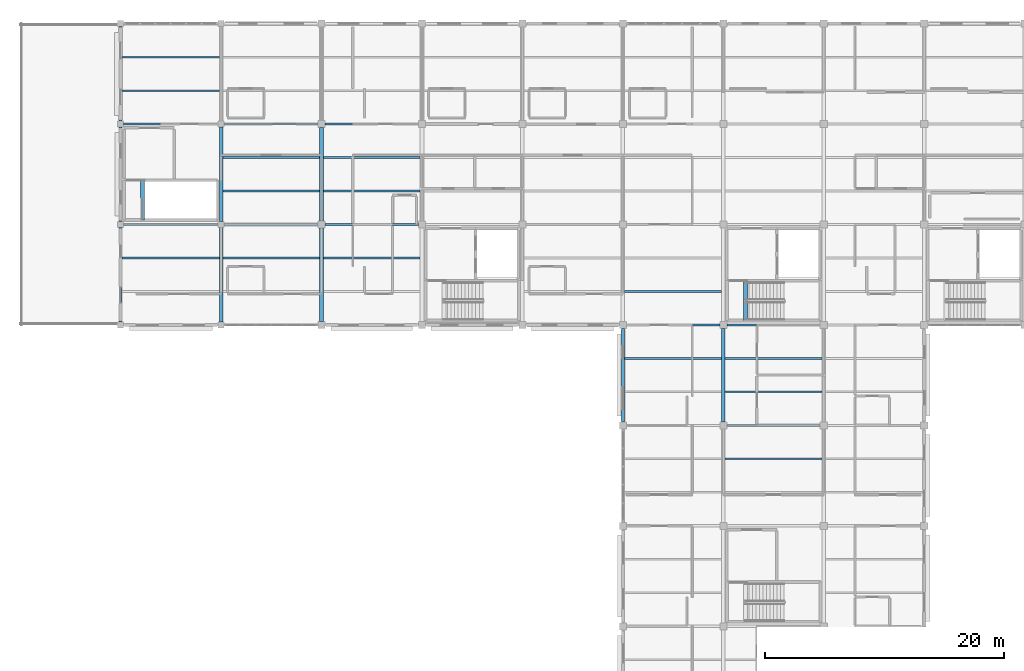
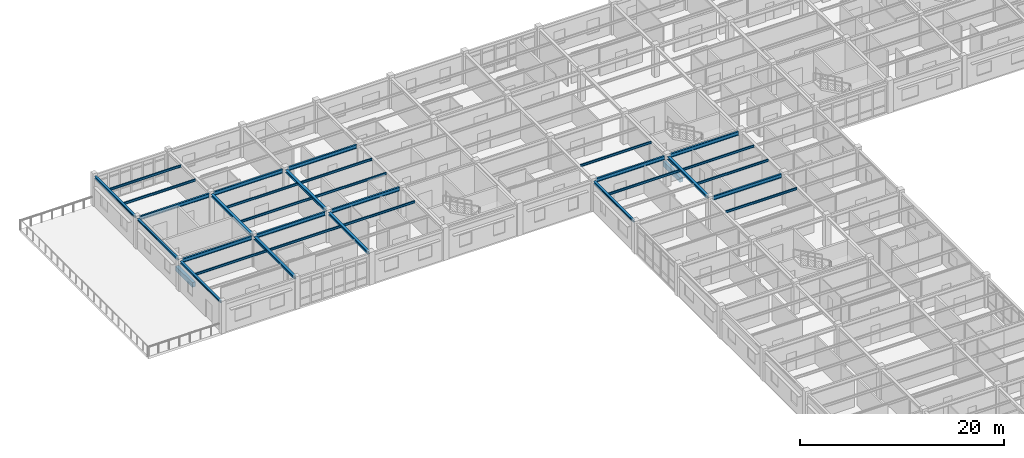
# One storey, part 22 of 70: 34 beams.
"""IFC4 building model written with IfcOpenShell, lengths in metres."""

from ifc_helpers import new_model, si_unit, direction, frame, origin, origin_2d, place, context, subcontext, project, spatial, rectangle, i_section, extrude, material, material_profile, profile_set, type_object, element, save


model = new_model("IFC4")

# Units and contexts
model_context = context("Model", 3, precision=1e-05, world=origin(), true_north=direction((0.0, 1.0)))
body_context = subcontext(model_context, "Body", "Model", "MODEL_VIEW")
ifc_project = project(units=[si_unit("LENGTHUNIT", "METRE"), si_unit("AREAUNIT", "SQUARE_METRE"), si_unit("VOLUMEUNIT", "CUBIC_METRE"), si_unit("PLANEANGLEUNIT", "RADIAN"), si_unit("MASSUNIT", "GRAM", prefix="KILO")], contexts=[model_context])

# Site, building, storey
site_placement = place(None, origin())
site = spatial("IfcSite", under=ifc_project, at=site_placement, CompositionType="ELEMENT")
building_placement = place(site_placement, origin())
building = spatial("IfcBuilding", under=site, at=building_placement, Name="Bramfleet General Hospital", CompositionType="ELEMENT")
storey_placement = place(building_placement, frame((0.0, 0.0, 22.5)))
storey = spatial("IfcBuildingStorey", under=building, at=storey_placement, Name="L05", CompositionType="ELEMENT", Elevation=22.5)

# Beams
ifc_material_1 = material(Name="Steel S355", Category="steel")
ifc_material_profile_1 = material_profile(ifc_material_1, i_section(OverallWidth=0.239990234375, OverallDepth=0.22998046875, WebThickness=0.007568359375, FlangeThickness=0.011962890625, FilletRadius=0.02099609375, at=origin_2d()), Name="HEA 240")
ifc_profile_set_1 = profile_set([ifc_material_profile_1], Name="Steel S355")
beam_type_1 = type_object("IfcBeamType", Name="BM-HEA240", PredefinedType="SPANDREL", material=ifc_profile_set_1)
beam_1_placement = place(storey_placement, frame((50.39990234375, 92.64990234375, 3.4951171875), z_axis=(0.0, 1.0, 0.0), x_axis=(-1.0, 0.0, 0.0)))
element("IfcBeam", 1, at=beam_1_placement, inside=storey, type_object=beam_type_1, Name="L05 Grid Beam Y 06-11", PredefinedType="SPANDREL", context=body_context, shape_type="SweptSolid", body=[
    extrude(i_section(OverallWidth=0.239990234375, OverallDepth=0.22998046875, WebThickness=0.007568359375, FlangeThickness=0.011962890625, FilletRadius=0.02099609375, at=origin_2d()), origin(), (0.0, 0.0, 1.0), 7.900146484375),
])
beam_2_placement = place(storey_placement, frame((50.39990234375, 101.050048828125, 3.4951171875), z_axis=(0.0, 1.0, 0.0), x_axis=(-1.0, 0.0, 0.0)))
element("IfcBeam", 2, at=beam_2_placement, inside=storey, type_object=beam_type_1, Name="L05 Grid Beam Y 06-12", PredefinedType="SPANDREL", context=body_context, shape_type="SweptSolid", body=[
    extrude(i_section(OverallWidth=0.239990234375, OverallDepth=0.22998046875, WebThickness=0.007568359375, FlangeThickness=0.011962890625, FilletRadius=0.02099609375, at=origin_2d()), origin(), (0.0, 0.0, 1.0), 7.89990234375),
])
beam_3_placement = place(storey_placement, frame((50.39990234375, 109.449951171875, 3.4951171875), z_axis=(0.0, 1.0, 0.0), x_axis=(-1.0, 0.0, 0.0)))
element("IfcBeam", 3, at=beam_3_placement, inside=storey, type_object=beam_type_1, Name="L05 Grid Beam Y 06-13", PredefinedType="SPANDREL", context=body_context, shape_type="SweptSolid", body=[
    extrude(i_section(OverallWidth=0.239990234375, OverallDepth=0.22998046875, WebThickness=0.007568359375, FlangeThickness=0.011962890625, FilletRadius=0.02099609375, at=origin_2d()), origin(), (0.0, 0.0, 1.0), 7.900146484375),
])
beam_4_placement = place(storey_placement, frame((92.39990234375, 84.300048828125, 3.5048828125), z_axis=(0.0, 1.0, 0.0), x_axis=(-1.0, 0.0, 0.0)))
element("IfcBeam", 4, at=beam_4_placement, inside=storey, type_object=beam_type_1, Name="L05 Grid Beam Y 11-10", PredefinedType="SPANDREL", context=body_context, shape_type="SweptSolid", body=[
    extrude(i_section(OverallWidth=0.239990234375, OverallDepth=0.22998046875, WebThickness=0.007568359375, FlangeThickness=0.011962890625, FilletRadius=0.02099609375, at=origin_2d()), origin(), (0.0, 0.0, 1.0), 7.800048828125),
])
ifc_material_profile_2 = material_profile(ifc_material_1, i_section(OverallWidth=0.300048828125, OverallDepth=0.31005859375, WebThickness=0.009033203125, FlangeThickness=0.015380859375, FilletRadius=0.027099609375, at=origin_2d()), Name="HEA 320")
ifc_profile_set_2 = profile_set([ifc_material_profile_2], Name="Steel S355")
beam_type_2 = type_object("IfcBeamType", Name="BM-HEA320", PredefinedType="BEAM", material=ifc_profile_set_2)
beam_5_placement = place(storey_placement, frame((58.800048828125, 92.64990234375, 3.455078125), z_axis=(0.0, 1.0, 0.0), x_axis=(-1.0, 0.0, 0.0)))
element("IfcBeam", 5, at=beam_5_placement, inside=storey, type_object=beam_type_2, Name="L05 Grid Beam Y 07-11", PredefinedType="BEAM", context=body_context, shape_type="SweptSolid", body=[
    extrude(i_section(OverallWidth=0.300048828125, OverallDepth=0.31005859375, WebThickness=0.009033203125, FlangeThickness=0.015380859375, FilletRadius=0.027099609375, at=origin_2d()), origin(), (0.0, 0.0, 1.0), 7.900146484375),
])
beam_6_placement = place(storey_placement, frame((58.800048828125, 101.050048828125, 3.455078125), z_axis=(0.0, 1.0, 0.0), x_axis=(-1.0, 0.0, 0.0)))
element("IfcBeam", 6, at=beam_6_placement, inside=storey, type_object=beam_type_2, Name="L05 Grid Beam Y 07-12", PredefinedType="BEAM", context=body_context, shape_type="SweptSolid", body=[
    extrude(i_section(OverallWidth=0.300048828125, OverallDepth=0.31005859375, WebThickness=0.009033203125, FlangeThickness=0.015380859375, FilletRadius=0.027099609375, at=origin_2d()), origin(), (0.0, 0.0, 1.0), 7.89990234375),
])
beam_7_placement = place(storey_placement, frame((67.199951171875, 92.699951171875, 3.455078125), z_axis=(0.0, 1.0, 0.0), x_axis=(-1.0, 0.0, 0.0)))
element("IfcBeam", 7, at=beam_7_placement, inside=storey, type_object=beam_type_2, Name="L05 Grid Beam Y 08-11", PredefinedType="BEAM", context=body_context, shape_type="SweptSolid", body=[
    extrude(i_section(OverallWidth=0.300048828125, OverallDepth=0.31005859375, WebThickness=0.009033203125, FlangeThickness=0.015380859375, FilletRadius=0.027099609375, at=origin_2d()), origin(), (0.0, 0.0, 1.0), 7.800048828125),
])
beam_8_placement = place(storey_placement, frame((67.199951171875, 101.10009765625, 3.455078125), z_axis=(0.0, 1.0, 0.0), x_axis=(-1.0, 0.0, 0.0)))
element("IfcBeam", 8, at=beam_8_placement, inside=storey, type_object=beam_type_2, Name="L05 Grid Beam Y 08-12", PredefinedType="BEAM", context=body_context, shape_type="SweptSolid", body=[
    extrude(i_section(OverallWidth=0.300048828125, OverallDepth=0.31005859375, WebThickness=0.009033203125, FlangeThickness=0.015380859375, FilletRadius=0.027099609375, at=origin_2d()), origin(), (0.0, 0.0, 1.0), 7.7998046875),
])
beam_9_placement = place(storey_placement, frame((100.800048828125, 84.300048828125, 3.465087890625), z_axis=(0.0, 1.0, 0.0), x_axis=(-1.0, 0.0, 0.0)))
element("IfcBeam", 9, at=beam_9_placement, inside=storey, type_object=beam_type_2, Name="L05 Grid Beam Y 12-10", PredefinedType="BEAM", context=body_context, shape_type="SweptSolid", body=[
    extrude(i_section(OverallWidth=0.300048828125, OverallDepth=0.31005859375, WebThickness=0.009033203125, FlangeThickness=0.015380859375, FilletRadius=0.027099609375, at=origin_2d()), origin(), (0.0, 0.0, 1.0), 7.800048828125),
])
ifc_material_profile_3 = material_profile(ifc_material_1, i_section(OverallWidth=0.135009765625, OverallDepth=0.27001953125, WebThickness=0.006591796875, FlangeThickness=0.01025390625, FilletRadius=0.014892578125, at=origin_2d()), Name="IPE 270")
ifc_profile_set_3 = profile_set([ifc_material_profile_3], Name="Steel S355")
beam_type_3 = type_object("IfcBeamType", Name="BM-IPE270", PredefinedType="JOIST", material=ifc_profile_set_3)
for number, where, z_axis, x_axis, name in (
    (10, (50.52001953125, 98.0, 3.47509765625), (1.0, 0.0, 0.0), (0.0, 1.0, 0.0), "L05 Secondary Joist 06-11-2"),
    (11, (50.52001953125, 112.0, 3.47509765625), (1.0, 0.0, 0.0), (0.0, 1.0, 0.0), "L05 Secondary Joist 06-13-1"),
    (12, (50.52001953125, 114.800048828125, 3.47509765625), (1.0, 0.0, 0.0), (0.0, 1.0, 0.0), "L05 Secondary Joist 06-13-2"),
):
    element("IfcBeam", number, at=place(storey_placement, frame(where, z_axis=z_axis, x_axis=x_axis)), inside=storey, type_object=beam_type_3, Name=name, PredefinedType="JOIST", context=body_context, shape_type="SweptSolid", body=[
        extrude(i_section(OverallWidth=0.135009765625, OverallDepth=0.27001953125, WebThickness=0.006591796875, FlangeThickness=0.01025390625, FilletRadius=0.014892578125, at=origin_2d()), origin(), (0.0, 0.0, 1.0), 8.1298828125),
    ])
for number, where, z_axis, x_axis, name in (
    (13, (58.949951171875, 98.0, 3.47509765625), (1.0, 0.0, 0.0), (0.0, 1.0, 0.0), "L05 Secondary Joist 07-11-2"),
    (14, (58.949951171875, 103.60009765625, 3.47509765625), (1.0, 0.0, 0.0), (0.0, 1.0, 0.0), "L05 Secondary Joist 07-12-1"),
    (15, (58.949951171875, 106.39990234375, 3.47509765625), (1.0, 0.0, 0.0), (0.0, 1.0, 0.0), "L05 Secondary Joist 07-12-2"),
):
    element("IfcBeam", number, at=place(storey_placement, frame(where, z_axis=z_axis, x_axis=x_axis)), inside=storey, type_object=beam_type_3, Name=name, PredefinedType="JOIST", context=body_context, shape_type="SweptSolid", body=[
        extrude(i_section(OverallWidth=0.135009765625, OverallDepth=0.27001953125, WebThickness=0.006591796875, FlangeThickness=0.01025390625, FilletRadius=0.014892578125, at=origin_2d()), origin(), (0.0, 0.0, 1.0), 8.10009765625),
    ])
for number, where, z_axis, x_axis, name in (
    (16, (67.35009765625, 98.0, 3.485107421875), (1.0, 0.0, 0.0), (0.0, 1.0, 0.0), "L05 Secondary Joist 08-11-2"),
    (17, (67.35009765625, 103.60009765625, 3.485107421875), (1.0, 0.0, 0.0), (0.0, 1.0, 0.0), "L05 Secondary Joist 08-12-1"),
    (18, (67.35009765625, 106.39990234375, 3.485107421875), (1.0, 0.0, 0.0), (0.0, 1.0, 0.0), "L05 Secondary Joist 08-12-2"),
):
    element("IfcBeam", number, at=place(storey_placement, frame(where, z_axis=z_axis, x_axis=x_axis)), inside=storey, type_object=beam_type_3, Name=name, PredefinedType="JOIST", context=body_context, shape_type="SweptSolid", body=[
        extrude(i_section(OverallWidth=0.135009765625, OverallDepth=0.27001953125, WebThickness=0.006591796875, FlangeThickness=0.01025390625, FilletRadius=0.014892578125, at=origin_2d()), origin(), (0.0, 0.0, 1.0), 8.099853515625),
    ])
beam_10_placement = place(storey_placement, frame((92.52001953125, 89.60009765625, 3.485107421875), z_axis=(1.0, 0.0, 0.0), x_axis=(0.0, 1.0, 0.0)))
element("IfcBeam", 19, at=beam_10_placement, inside=storey, type_object=beam_type_3, Name="L05 Secondary Joist 11-10-2", PredefinedType="JOIST", context=body_context, shape_type="SweptSolid", body=[
    extrude(i_section(OverallWidth=0.135009765625, OverallDepth=0.27001953125, WebThickness=0.006591796875, FlangeThickness=0.01025390625, FilletRadius=0.014892578125, at=origin_2d()), origin(), (0.0, 0.0, 1.0), 8.1298828125),
])
beam_11_placement = place(storey_placement, frame((92.550048828125, 95.199951171875, 3.485107421875), z_axis=(1.0, 0.0, 0.0), x_axis=(0.0, 1.0, 0.0)))
element("IfcBeam", 20, at=beam_11_placement, inside=storey, type_object=beam_type_3, Name="L05 Secondary Joist 11-11-1", PredefinedType="JOIST", context=body_context, shape_type="SweptSolid", body=[
    extrude(i_section(OverallWidth=0.135009765625, OverallDepth=0.27001953125, WebThickness=0.006591796875, FlangeThickness=0.01025390625, FilletRadius=0.014892578125, at=origin_2d()), origin(), (0.0, 0.0, 1.0), 8.099853515625),
])
for number, where, z_axis, x_axis, name in (
    (21, (100.949951171875, 81.199951171875, 3.485107421875), (1.0, 0.0, 0.0), (0.0, 1.0, 0.0), "L05 Secondary Joist 12-09-2"),
    (22, (100.949951171875, 86.800048828125, 3.485107421875), (1.0, 0.0, 0.0), (0.0, 1.0, 0.0), "L05 Secondary Joist 12-10-1"),
    (23, (100.949951171875, 89.60009765625, 3.485107421875), (1.0, 0.0, 0.0), (0.0, 1.0, 0.0), "L05 Secondary Joist 12-10-2"),
):
    element("IfcBeam", number, at=place(storey_placement, frame(where, z_axis=z_axis, x_axis=x_axis)), inside=storey, type_object=beam_type_3, Name=name, PredefinedType="JOIST", context=body_context, shape_type="SweptSolid", body=[
        extrude(i_section(OverallWidth=0.135009765625, OverallDepth=0.27001953125, WebThickness=0.006591796875, FlangeThickness=0.01025390625, FilletRadius=0.014892578125, at=origin_2d()), origin(), (0.0, 0.0, 1.0), 8.10009765625),
    ])
ifc_material_profile_4 = material_profile(ifc_material_1, i_section(OverallWidth=0.18994140625, OverallDepth=0.449951171875, WebThickness=0.009521484375, FlangeThickness=0.0146484375, FilletRadius=0.02099609375, at=origin_2d()), Name="IPE 450")
ifc_profile_set_4 = profile_set([ifc_material_profile_4], Name="Steel S355")
beam_type_4 = type_object("IfcBeamType", Name="BM-IPE450", PredefinedType="BEAM", material=ifc_profile_set_4)
for number, where, z_axis, x_axis, name in (
    (24, (50.64990234375, 100.800048828125, 3.385009765625), (1.0, 0.0, 0.0), (0.0, 1.0, 0.0), "L05 Grid Beam X 06-12"),
    (25, (50.64990234375, 109.199951171875, 3.385009765625), (1.0, 0.0, 0.0), (0.0, 1.0, 0.0), "L05 Grid Beam X 06-13"),
):
    element("IfcBeam", number, at=place(storey_placement, frame(where, z_axis=z_axis, x_axis=x_axis)), inside=storey, type_object=beam_type_4, Name=name, PredefinedType="BEAM", context=body_context, shape_type="SweptSolid", body=[
        extrude(i_section(OverallWidth=0.18994140625, OverallDepth=0.449951171875, WebThickness=0.009521484375, FlangeThickness=0.0146484375, FilletRadius=0.02099609375, at=origin_2d()), origin(), (0.0, 0.0, 1.0), 7.900146484375),
    ])
for number, where, z_axis, x_axis, name in (
    (26, (59.050048828125, 100.800048828125, 3.385009765625), (1.0, 0.0, 0.0), (0.0, 1.0, 0.0), "L05 Grid Beam X 07-12"),
    (27, (59.050048828125, 109.199951171875, 3.385009765625), (1.0, 0.0, 0.0), (0.0, 1.0, 0.0), "L05 Grid Beam X 07-13"),
):
    element("IfcBeam", number, at=place(storey_placement, frame(where, z_axis=z_axis, x_axis=x_axis)), inside=storey, type_object=beam_type_4, Name=name, PredefinedType="BEAM", context=body_context, shape_type="SweptSolid", body=[
        extrude(i_section(OverallWidth=0.18994140625, OverallDepth=0.449951171875, WebThickness=0.009521484375, FlangeThickness=0.0146484375, FilletRadius=0.02099609375, at=origin_2d()), origin(), (0.0, 0.0, 1.0), 7.849853515625),
    ])
for number, where, z_axis, x_axis, name in (
    (28, (67.5, 100.800048828125, 3.39501953125), (1.0, 0.0, 0.0), (0.0, 1.0, 0.0), "L05 Grid Beam X 08-12"),
    (29, (67.5, 109.199951171875, 3.39501953125), (1.0, 0.0, 0.0), (0.0, 1.0, 0.0), "L05 Grid Beam X 08-13"),
    (30, (92.699951171875, 92.39990234375, 3.39501953125), (1.0, 0.0, 0.0), (0.0, 1.0, 0.0), "L05 Grid Beam X 11-11"),
):
    element("IfcBeam", number, at=place(storey_placement, frame(where, z_axis=z_axis, x_axis=x_axis)), inside=storey, type_object=beam_type_4, Name=name, PredefinedType="BEAM", context=body_context, shape_type="SweptSolid", body=[
        extrude(i_section(OverallWidth=0.18994140625, OverallDepth=0.449951171875, WebThickness=0.009521484375, FlangeThickness=0.0146484375, FilletRadius=0.02099609375, at=origin_2d()), origin(), (0.0, 0.0, 1.0), 7.800048828125),
    ])
for number, where, z_axis, x_axis, name in (
    (31, (101.10009765625, 84.0, 3.39501953125), (1.0, 0.0, 0.0), (0.0, 1.0, 0.0), "L05 Grid Beam X 12-10"),
    (32, (101.10009765625, 92.39990234375, 3.39501953125), (1.0, 0.0, 0.0), (0.0, 1.0, 0.0), "L05 Grid Beam X 12-11"),
):
    element("IfcBeam", number, at=place(storey_placement, frame(where, z_axis=z_axis, x_axis=x_axis)), inside=storey, type_object=beam_type_4, Name=name, PredefinedType="BEAM", context=body_context, shape_type="SweptSolid", body=[
        extrude(i_section(OverallWidth=0.18994140625, OverallDepth=0.449951171875, WebThickness=0.009521484375, FlangeThickness=0.0146484375, FilletRadius=0.02099609375, at=origin_2d()), origin(), (0.0, 0.0, 1.0), 7.7998046875),
    ])
ifc_material_2 = material(Name="Concrete C35/45", Category="concrete")
ifc_material_profile_5 = material_profile(ifc_material_2, rectangle(XDim=0.35009765625, YDim=0.550048828125, at=origin_2d()), Name="RC BM 550x350")
ifc_profile_set_5 = profile_set([ifc_material_profile_5], Name="Concrete C35/45")
beam_type_5 = type_object("IfcBeamType", Name="BM-RC550", PredefinedType="BEAM", material=ifc_profile_set_5)
for number, where, z_axis, x_axis, name in (
    (33, (102.639892578125, 92.780029296875, -0.27490234375), (0.0, 1.0, 0.0), (-1.0, 0.0, 0.0), "L05 C4 Stairwell Trimmer Beam"),
    (34, (52.239990234375, 101.179931640625, -0.27490234375), (0.0, 1.0, 0.0), (-1.0, 0.0, 0.0), "L05 C14 Stairwell Trimmer Beam"),
):
    element("IfcBeam", number, at=place(storey_placement, frame(where, z_axis=z_axis, x_axis=x_axis)), inside=storey, type_object=beam_type_5, Name=name, PredefinedType="BEAM", context=body_context, shape_type="SweptSolid", body=[
        extrude(rectangle(XDim=0.35009765625, YDim=0.550048828125, at=origin_2d()), origin(), (0.0, 0.0, 1.0), 3.320068359375),
    ])

save(model, "model.ifc")
